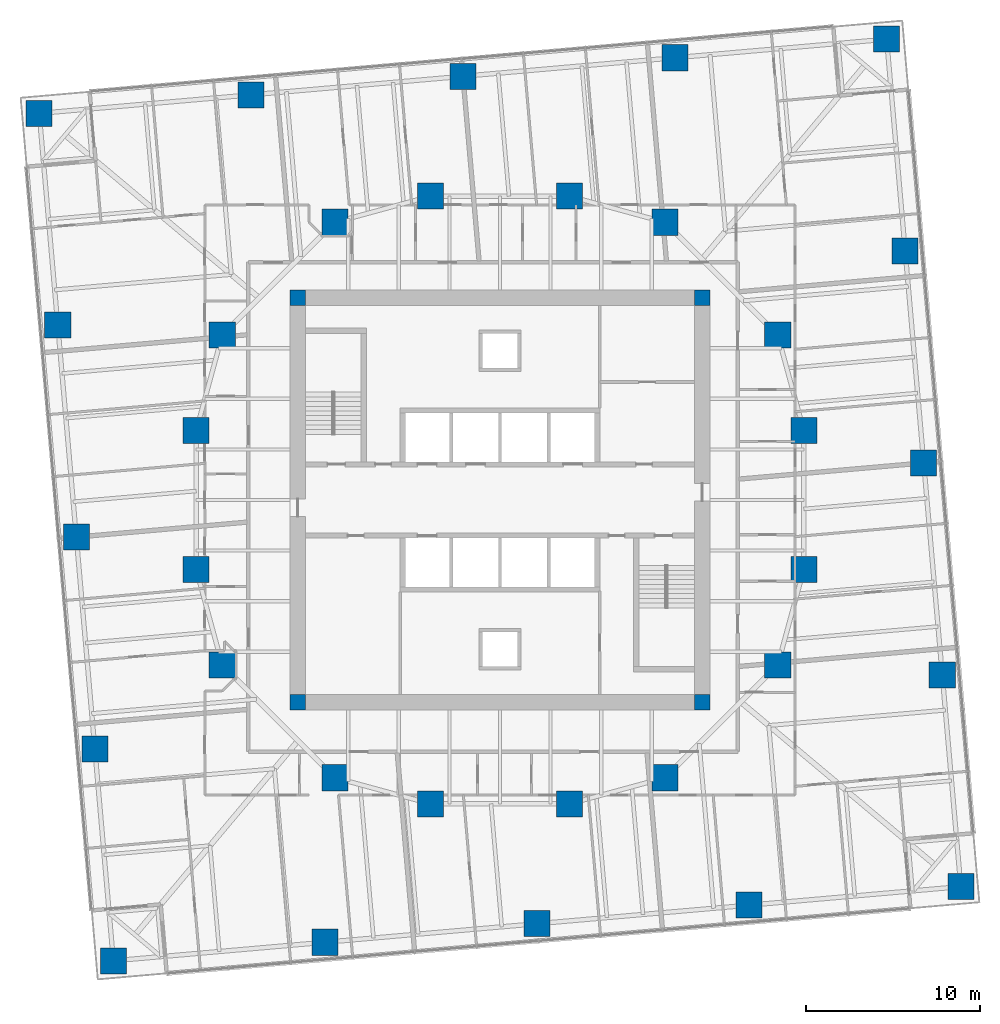
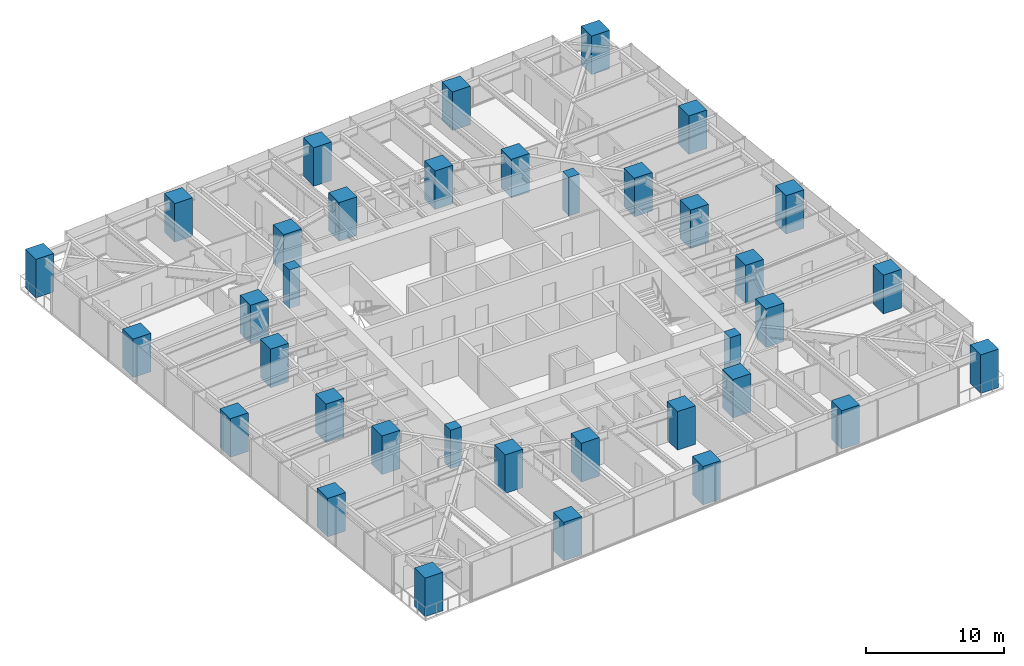
# One storey, part 1 of 14: 36 columns.
"""IFC4 building model written with IfcOpenShell, lengths in metres."""

import ifcopenshell
import ifcopenshell.guid

model = None  # the IFC model being written
_history = None  # IfcOwnerHistory: only IFC2X3 demands one
_inside = {}  # id of a spatial element -> (the spatial element, [elements in it])
_under = {}  # id of a project, library or spatial element -> (it, [spatial elements below it])
_declared = {}  # id of a project -> (the project, [libraries it declares])
_typed = {}  # id of a type object -> (the type object, [elements of that type])
_made_of = {}  # id of a material, layer set ... -> (it, [elements and type objects made of it])


def new_model(schema):
    """Start an empty IFC model of exactly this schema.

    Asked for "IFC4X3", IfcOpenShell would pick the latest addendum, in which some entities
    have other attributes; the version numbers below select the first issue.
    IFC2X3 requires an IfcOwnerHistory on every rooted entity: one is made here for all.
    """
    global model, _history
    if schema == "IFC4X3":
        model = ifcopenshell.file(schema_version=(4, 3, 0, 0))
    else:
        model = ifcopenshell.file(schema=schema)
    _inside.clear()
    _under.clear()
    _declared.clear()
    _typed.clear()
    _made_of.clear()
    _history = None
    if model.schema == "IFC2X3":
        org = make("IfcOrganization", Name="unknown")
        user = make(
            "IfcPersonAndOrganization",
            ThePerson=make("IfcPerson", FamilyName="unknown"),
            TheOrganization=org,
        )
        app = make(
            "IfcApplication",
            ApplicationDeveloper=org,
            Version="unknown",
            ApplicationFullName="unknown",
            ApplicationIdentifier="unknown",
        )
        _history = make(
            "IfcOwnerHistory",
            OwningUser=user,
            OwningApplication=app,
            ChangeAction="ADDED",
            CreationDate=0,
        )
    return model


def make(cls, **values):
    """One entity of the class cls with the attributes given. An attribute that is None is left unset."""
    return model.create_entity(
        cls, **{name: value for name, value in values.items() if value is not None}
    )


def rooted(cls, **values):
    """An entity with a GlobalId (a new one), such as an element, a storey or a relation."""
    return make(cls, GlobalId=ifcopenshell.guid.new(), OwnerHistory=_history, **values)


def si_unit(unit_type, name, prefix=None):
    """IfcSIUnit, for example si_unit("LENGTHUNIT", "METRE", prefix="MILLI")."""
    return make("IfcSIUnit", UnitType=unit_type, Prefix=prefix, Name=name)


def assignment(units):
    """IfcUnitAssignment: the units of a project."""
    return None if units is None else make("IfcUnitAssignment", Units=units)


def point(xyz):
    """IfcCartesianPoint."""
    return None if xyz is None else make("IfcCartesianPoint", Coordinates=xyz)


def direction(xyz):
    """IfcDirection."""
    return None if xyz is None else make("IfcDirection", DirectionRatios=xyz)


def frame(location, z_axis=None, x_axis=None):
    """IfcAxis2Placement3D, a coordinate frame: its origin and axes. An axis left out is left unset."""
    return make(
        "IfcAxis2Placement3D",
        Location=point(location),
        Axis=direction(z_axis),
        RefDirection=direction(x_axis),
    )


def frame_2d(location, x_axis=None):
    """IfcAxis2Placement2D, a coordinate frame in the plane: its origin and x axis."""
    return make(
        "IfcAxis2Placement2D", Location=point(location), RefDirection=direction(x_axis)
    )


def origin():
    """The frame at (0, 0, 0) with its axes left unset."""
    return frame((0.0, 0.0, 0.0))


def origin_2d():
    """The frame at (0, 0) in the plane with its x axis left unset."""
    return frame_2d((0.0, 0.0))


def place(relative_to, where):
    """IfcLocalPlacement: puts the frame where relative to a parent placement (None: the world)."""
    return make(
        "IfcLocalPlacement", PlacementRelTo=relative_to, RelativePlacement=where
    )


def context(
    kind, dimensions, precision=None, world=None, true_north=None, identifier=None
):
    """IfcGeometricRepresentationContext, for example the 3D "Model" context."""
    return make(
        "IfcGeometricRepresentationContext",
        ContextIdentifier=identifier,
        ContextType=kind,
        CoordinateSpaceDimension=dimensions,
        Precision=precision,
        WorldCoordinateSystem=world,
        TrueNorth=true_north,
    )


def subcontext(parent, identifier, kind, view, scale=None):
    """IfcGeometricRepresentationSubContext, for example "Body" below "Model"."""
    return make(
        "IfcGeometricRepresentationSubContext",
        ContextIdentifier=identifier,
        ContextType=kind,
        ParentContext=parent,
        TargetScale=scale,
        TargetView=view,
    )


def project(units=None, contexts=None):
    """IfcProject with its units and contexts."""
    return rooted(
        "IfcProject",
        Name="project",
        RepresentationContexts=contexts,
        UnitsInContext=assignment(units),
    )


def spatial(cls, under=None, at=None, **own):
    """A site, building, storey or space (cls), placed at a placement, below another one or the project."""
    s = rooted(cls, ObjectPlacement=at, **own)
    if under is not None:
        _under.setdefault(under.id(), (under, []))[1].append(s)
    return s


def profile(cls, at=None, kind="AREA", **sizes):
    """A parametric profile (cls). Its sizes go by their IFC names, for example OverallWidth=200.0."""
    return make(cls, ProfileType=kind, Position=at, **sizes)


def rectangle(**sizes):
    """IfcRectangleProfileDef."""
    return profile("IfcRectangleProfileDef", **sizes)


def extrude(swept, where, along, depth):
    """IfcExtrudedAreaSolid: the profile swept, set in the frame where, extruded along a direction by depth."""
    return make(
        "IfcExtrudedAreaSolid",
        SweptArea=swept,
        Position=where,
        ExtrudedDirection=direction(along),
        Depth=depth,
    )


def shape(context_of_items, identifier, shape_type, items):
    """IfcShapeRepresentation: the items that make up one representation, for example the "Body"."""
    return make(
        "IfcShapeRepresentation",
        ContextOfItems=context_of_items,
        RepresentationIdentifier=identifier,
        RepresentationType=shape_type,
        Items=items,
    )


def material(Name=None, Category=None):
    """IfcMaterial."""
    return make("IfcMaterial", Name=Name, Category=Category)


def material_profile(
    of_material, cross_section, Name=None, Category=None, Priority=None
):
    """IfcMaterialProfile: a cross section and its material."""
    return make(
        "IfcMaterialProfile",
        Name=Name,
        Material=of_material,
        Profile=cross_section,
        Priority=Priority,
        Category=Category,
    )


def profile_set(profiles, Name=None, composite=None):
    """IfcMaterialProfileSet."""
    return make(
        "IfcMaterialProfileSet",
        Name=Name,
        MaterialProfiles=profiles,
        CompositeProfile=composite,
    )


def made_of(thing, what):
    """Note that an element or type object is made of a material, layer set ...; save() writes the relation."""
    if what is not None:
        _made_of.setdefault(what.id(), (what, []))[1].append(thing)
    return thing


def type_object(cls, material=None, **own):
    """A type object (cls), such as IfcWallType, which elements share."""
    return made_of(rooted(cls, **own), material)


def element(
    cls,
    number,
    at=None,
    inside=None,
    cuts=None,
    type_object=None,
    material=None,
    context=None,
    identifier="Body",
    shape_type=None,
    held_by="IfcProductDefinitionShape",
    body=None,
    shapes=None,
    **own,
):
    """One element of the class cls, such as IfcWall. Its Tag is "e" and its number.

    at: its placement. inside: the storey or other place that contains it. cuts: it is an
    opening in that element (IfcRelVoidsElement). A single representation is given by context,
    identifier, shape_type and body (its items); several are given by shapes. held_by: the class
    of the entity that holds the representations. save() writes the other relations.
    """
    e = rooted(cls, Tag="e%d" % number, ObjectPlacement=at, **own)
    if body is not None:
        shapes = [shape(context, identifier, shape_type, body)]
    if shapes is not None:
        e.Representation = make(held_by, Representations=shapes)
    if inside is not None:
        _inside.setdefault(inside.id(), (inside, []))[1].append(e)
    if cuts is not None:
        rooted(
            "IfcRelVoidsElement", RelatingBuildingElement=cuts, RelatedOpeningElement=e
        )
    if type_object is not None:
        _typed.setdefault(type_object.id(), (type_object, []))[1].append(e)
    return made_of(e, material)


def aggregate(whole, parts):
    """IfcRelAggregates: a whole, such as a stair, and the parts it consists of."""
    return rooted("IfcRelAggregates", RelatingObject=whole, RelatedObjects=parts)


def save(model, path):
    """Write the relations noted so far, then the file.

    IfcRelAggregates (storeys below a building ...), IfcRelContainedInSpatialStructure (elements
    in a storey), IfcRelDefinesByType, IfcRelAssociatesMaterial and IfcRelDeclares: one each for
    every whole, place, type object, material and project.
    """
    for whole, parts in _under.values():
        aggregate(whole, parts)
    for where, things in _inside.values():
        rooted(
            "IfcRelContainedInSpatialStructure",
            RelatedElements=things,
            RelatingStructure=where,
        )
    for kind, things in _typed.values():
        rooted("IfcRelDefinesByType", RelatedObjects=things, RelatingType=kind)
    for what, things in _made_of.values():
        rooted("IfcRelAssociatesMaterial", RelatedObjects=things, RelatingMaterial=what)
    for by, libraries in _declared.values():
        rooted("IfcRelDeclares", RelatingContext=by, RelatedDefinitions=libraries)
    model.write(path)


model = new_model("IFC4")

# Units and contexts
model_context = context("Model", 3, precision=1e-05, world=origin(), true_north=direction((0.0, 1.0)))
body_context = subcontext(model_context, "Body", "Model", "MODEL_VIEW")
ifc_project = project(units=[si_unit("LENGTHUNIT", "METRE"), si_unit("AREAUNIT", "SQUARE_METRE"), si_unit("VOLUMEUNIT", "CUBIC_METRE"), si_unit("PLANEANGLEUNIT", "RADIAN"), si_unit("MASSUNIT", "GRAM", prefix="KILO")], contexts=[model_context])

# Site, building, storey
site_placement = place(None, origin())
site = spatial("IfcSite", under=ifc_project, at=site_placement, CompositionType="ELEMENT")
building_placement = place(site_placement, origin())
building = spatial("IfcBuilding", under=site, at=building_placement, Name="Torsade Residences", CompositionType="ELEMENT")
storey_placement = place(building_placement, frame((0.0, 0.0, 54.0)))
storey = spatial("IfcBuildingStorey", under=building, at=storey_placement, Name="L14", CompositionType="ELEMENT", Elevation=54.0)

# Columns
ifc_material_1 = material(Name="Concrete 80 MPa", Category="concrete")
ifc_material_profile_1 = material_profile(ifc_material_1, rectangle(XDim=0.89990234375, YDim=0.89990234375, at=origin_2d()), Name="RC 900x900")
ifc_profile_set_1 = profile_set([ifc_material_profile_1], Name="Concrete 80 MPa")
column_type_1 = type_object("IfcColumnType", Name="CORE CORNER COLUMN RC 900x900", PredefinedType="COLUMN", material=ifc_profile_set_1)
for number, where, z_axis, x_axis, name in (
    (1, (28.35009765625, 18.35009765625, 0.0), (0.0, 0.0, 1.0), (1.0, 0.0, 0.0), "Core corner column CC1 L14"),
    (2, (51.64990234375, 18.35009765625, 0.0), (0.0, 0.0, 1.0), (1.0, 0.0, 0.0), "Core corner column CC2 L14"),
    (3, (51.64990234375, 41.64990234375, 0.0), (0.0, 0.0, 1.0), (1.0, 0.0, 0.0), "Core corner column CC3 L14"),
    (4, (28.35009765625, 41.64990234375, 0.0), (0.0, 0.0, 1.0), (1.0, 0.0, 0.0), "Core corner column CC4 L14"),
):
    element("IfcColumn", number, at=place(storey_placement, frame(where, z_axis=z_axis, x_axis=x_axis)), inside=storey, type_object=column_type_1, Name=name, PredefinedType="COLUMN", context=body_context, shape_type="SweptSolid", body=[
        extrude(rectangle(XDim=0.89990234375, YDim=0.89990234375, at=origin_2d()), origin(), (0.0, 0.0, 1.0), 3.39990234375),
    ])
ifc_material_2 = material(Name="Concrete 80 MPa", Category="concrete")
ifc_material_profile_2 = material_profile(ifc_material_2, rectangle(XDim=1.5, YDim=1.5, at=origin_2d()), Name="RC 1500x1500")
ifc_profile_set_2 = profile_set([ifc_material_profile_2], Name="Concrete 80 MPa")
column_type_2 = type_object("IfcColumnType", Name="INNER RING COLUMN RC 1500x1500", PredefinedType="COLUMN", material=ifc_profile_set_2)
for number, where, z_axis, x_axis, name in (
    (5, (57.5, 26.0, 0.0), (0.0, 0.0, 1.0), (1.0, 0.0, 0.0), "Inner ring column IR01 L14"),
    (6, (57.5, 34.0, 0.0), (0.0, 0.0, 1.0), (1.0, 0.0, 0.0), "Inner ring column IR02 L14"),
    (7, (56.0, 39.5, 0.0), (0.0, 0.0, 1.0), (1.0, 0.0, 0.0), "Inner ring column IR03 L14"),
    (8, (49.5, 46.0, 0.0), (0.0, 0.0, 1.0), (1.0, 0.0, 0.0), "Inner ring column IR04 L14"),
    (9, (44.0, 47.5, 0.0), (0.0, 0.0, 1.0), (1.0, 0.0, 0.0), "Inner ring column IR05 L14"),
    (10, (36.0, 47.5, 0.0), (0.0, 0.0, 1.0), (1.0, 0.0, 0.0), "Inner ring column IR06 L14"),
    (11, (30.5, 46.0, 0.0), (0.0, 0.0, 1.0), (1.0, 0.0, 0.0), "Inner ring column IR07 L14"),
    (12, (24.0, 39.5, 0.0), (0.0, 0.0, 1.0), (1.0, 0.0, 0.0), "Inner ring column IR08 L14"),
    (13, (22.5, 34.0, 0.0), (0.0, 0.0, 1.0), (1.0, 0.0, 0.0), "Inner ring column IR09 L14"),
    (14, (22.5, 26.0, 0.0), (0.0, 0.0, 1.0), (1.0, 0.0, 0.0), "Inner ring column IR10 L14"),
    (15, (24.0, 20.5, 0.0), (0.0, 0.0, 1.0), (1.0, 0.0, 0.0), "Inner ring column IR11 L14"),
    (16, (30.5, 14.0, 0.0), (0.0, 0.0, 1.0), (1.0, 0.0, 0.0), "Inner ring column IR12 L14"),
    (17, (36.0, 12.5, 0.0), (0.0, 0.0, 1.0), (1.0, 0.0, 0.0), "Inner ring column IR13 L14"),
    (18, (44.0, 12.5, 0.0), (0.0, 0.0, 1.0), (1.0, 0.0, 0.0), "Inner ring column IR14 L14"),
    (19, (49.5, 14.0, 0.0), (0.0, 0.0, 1.0), (1.0, 0.0, 0.0), "Inner ring column IR15 L14"),
    (20, (56.0, 20.5, 0.0), (0.0, 0.0, 1.0), (1.0, 0.0, 0.0), "Inner ring column IR16 L14"),
):
    element("IfcColumn", number, at=place(storey_placement, frame(where, z_axis=z_axis, x_axis=x_axis)), inside=storey, type_object=column_type_2, Name=name, PredefinedType="COLUMN", context=body_context, shape_type="SweptSolid", body=[
        extrude(rectangle(XDim=1.5, YDim=1.5, at=origin_2d()), origin(), (0.0, 0.0, 1.0), 3.39990234375),
    ])
ifc_material_3 = material(Name="Concrete 80 MPa", Category="concrete")
ifc_material_profile_3 = material_profile(ifc_material_3, rectangle(XDim=1.5, YDim=1.5, at=origin_2d()), Name="RC 1500x1500")
ifc_profile_set_3 = profile_set([ifc_material_profile_3], Name="Concrete 80 MPa")
column_type_3 = type_object("IfcColumnType", Name="TOWER COLUMN RC 1500x1500", PredefinedType="COLUMN", material=ifc_profile_set_3)
for number, where, z_axis, x_axis, name in (
    (21, (17.728515625, 3.4580078125, 0.0), (0.0, 0.0, 1.0), (1.0, 0.0, 0.0), "Column TC2-01 L14"),
    (22, (29.931884765625, 4.525634765625, 0.0), (0.0, 0.0, 1.0), (1.0, 0.0, 0.0), "Column TC2-02 L14"),
    (23, (42.13525390625, 5.59326171875, 0.0), (0.0, 0.0, 1.0), (1.0, 0.0, 0.0), "Column TC2-03 L14"),
    (24, (54.338623046875, 6.660888671875, 0.0), (0.0, 0.0, 1.0), (1.0, 0.0, 0.0), "Column TC2-04 L14"),
    (25, (66.5419921875, 7.728515625, 0.0), (0.0, 0.0, 1.0), (1.0, 0.0, 0.0), "Column TC2-05 L14"),
    (26, (65.474365234375, 19.931884765625, 0.0), (0.0, 0.0, 1.0), (1.0, 0.0, 0.0), "Column TC2-06 L14"),
    (27, (64.40673828125, 32.13525390625, 0.0), (0.0, 0.0, 1.0), (1.0, 0.0, 0.0), "Column TC2-07 L14"),
    (28, (63.339111328125, 44.338623046875, 0.0), (0.0, 0.0, 1.0), (1.0, 0.0, 0.0), "Column TC2-08 L14"),
    (29, (62.271484375, 56.5419921875, 0.0), (0.0, 0.0, 1.0), (1.0, 0.0, 0.0), "Column TC2-09 L14"),
    (30, (50.068115234375, 55.474365234375, 0.0), (0.0, 0.0, 1.0), (1.0, 0.0, 0.0), "Column TC2-10 L14"),
    (31, (37.86474609375, 54.40673828125, 0.0), (0.0, 0.0, 1.0), (1.0, 0.0, 0.0), "Column TC2-11 L14"),
    (32, (25.661376953125, 53.339111328125, 0.0), (0.0, 0.0, 1.0), (1.0, 0.0, 0.0), "Column TC2-12 L14"),
    (33, (13.4580078125, 52.271484375, 0.0), (0.0, 0.0, 1.0), (1.0, 0.0, 0.0), "Column TC2-13 L14"),
    (34, (14.525634765625, 40.068115234375, 0.0), (0.0, 0.0, 1.0), (1.0, 0.0, 0.0), "Column TC2-14 L14"),
    (35, (15.59326171875, 27.86474609375, 0.0), (0.0, 0.0, 1.0), (1.0, 0.0, 0.0), "Column TC2-15 L14"),
    (36, (16.660888671875, 15.661376953125, 0.0), (0.0, 0.0, 1.0), (1.0, 0.0, 0.0), "Column TC2-16 L14"),
):
    element("IfcColumn", number, at=place(storey_placement, frame(where, z_axis=z_axis, x_axis=x_axis)), inside=storey, type_object=column_type_3, Name=name, PredefinedType="COLUMN", context=body_context, shape_type="SweptSolid", body=[
        extrude(rectangle(XDim=1.5, YDim=1.5, at=origin_2d()), origin(), (0.0, 0.0, 1.0), 3.39990234375),
    ])

save(model, "model.ifc")
